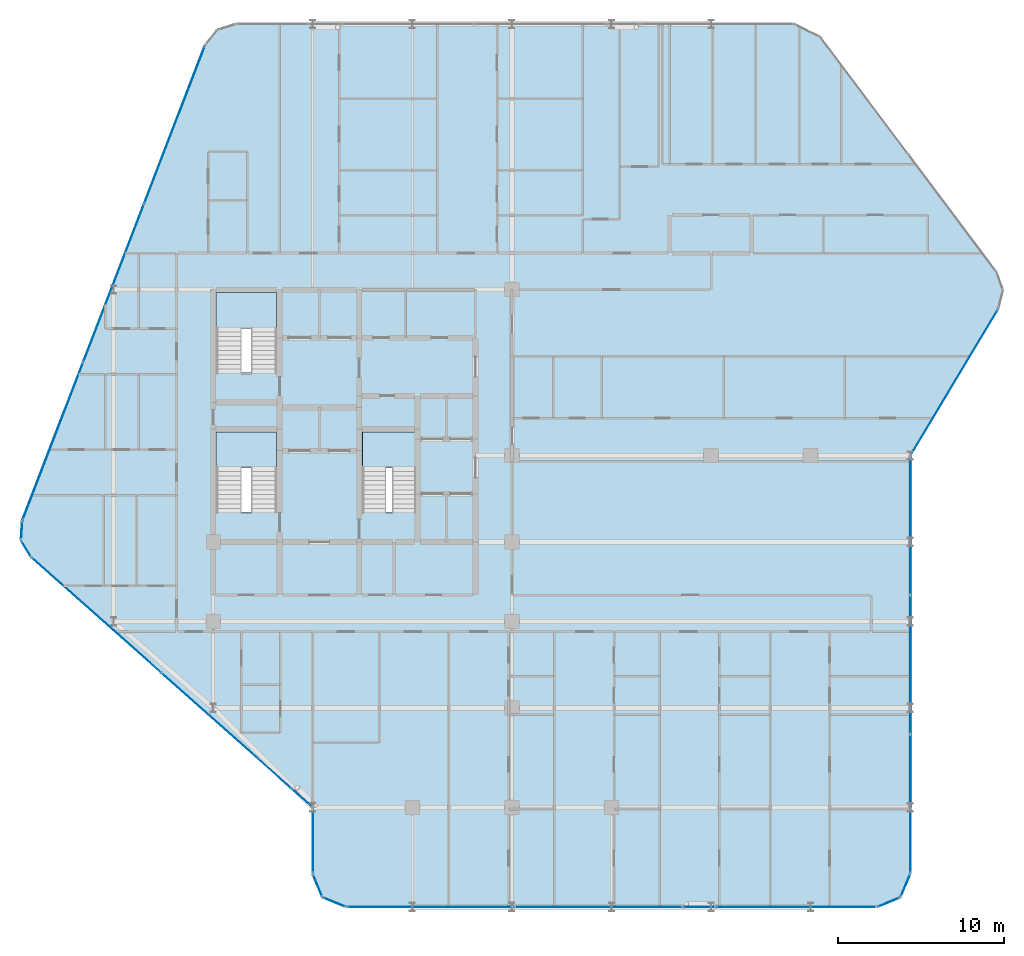
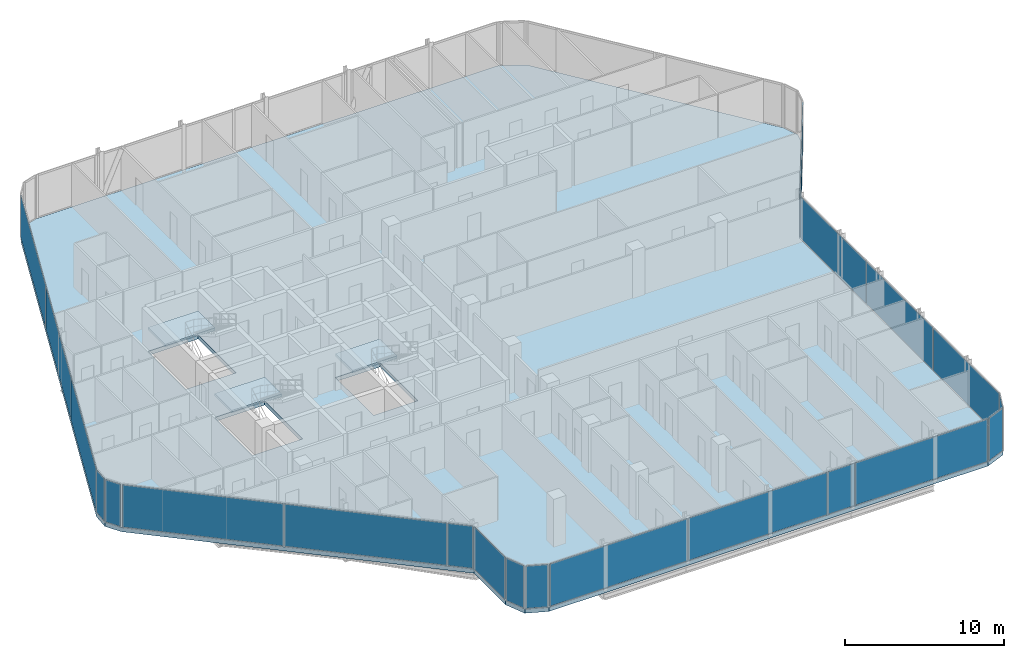
# One storey, part 23 of 32: 21 plates, 4 slabs, 18 elements without a shape of their own.
"""IFC4 building model written with IfcOpenShell, lengths in metres."""

import ifcopenshell
import ifcopenshell.guid

model = None  # the IFC model being written
_history = None  # IfcOwnerHistory: only IFC2X3 demands one
_inside = {}  # id of a spatial element -> (the spatial element, [elements in it])
_under = {}  # id of a project, library or spatial element -> (it, [spatial elements below it])
_declared = {}  # id of a project -> (the project, [libraries it declares])
_typed = {}  # id of a type object -> (the type object, [elements of that type])
_made_of = {}  # id of a material, layer set ... -> (it, [elements and type objects made of it])


def new_model(schema):
    """Start an empty IFC model of exactly this schema.

    Asked for "IFC4X3", IfcOpenShell would pick the latest addendum, in which some entities
    have other attributes; the version numbers below select the first issue.
    IFC2X3 requires an IfcOwnerHistory on every rooted entity: one is made here for all.
    """
    global model, _history
    if schema == "IFC4X3":
        model = ifcopenshell.file(schema_version=(4, 3, 0, 0))
    else:
        model = ifcopenshell.file(schema=schema)
    _inside.clear()
    _under.clear()
    _declared.clear()
    _typed.clear()
    _made_of.clear()
    _history = None
    if model.schema == "IFC2X3":
        org = make("IfcOrganization", Name="unknown")
        user = make(
            "IfcPersonAndOrganization",
            ThePerson=make("IfcPerson", FamilyName="unknown"),
            TheOrganization=org,
        )
        app = make(
            "IfcApplication",
            ApplicationDeveloper=org,
            Version="unknown",
            ApplicationFullName="unknown",
            ApplicationIdentifier="unknown",
        )
        _history = make(
            "IfcOwnerHistory",
            OwningUser=user,
            OwningApplication=app,
            ChangeAction="ADDED",
            CreationDate=0,
        )
    return model


def make(cls, **values):
    """One entity of the class cls with the attributes given. An attribute that is None is left unset."""
    return model.create_entity(
        cls, **{name: value for name, value in values.items() if value is not None}
    )


def rooted(cls, **values):
    """An entity with a GlobalId (a new one), such as an element, a storey or a relation."""
    return make(cls, GlobalId=ifcopenshell.guid.new(), OwnerHistory=_history, **values)


def si_unit(unit_type, name, prefix=None):
    """IfcSIUnit, for example si_unit("LENGTHUNIT", "METRE", prefix="MILLI")."""
    return make("IfcSIUnit", UnitType=unit_type, Prefix=prefix, Name=name)


def assignment(units):
    """IfcUnitAssignment: the units of a project."""
    return None if units is None else make("IfcUnitAssignment", Units=units)


def point(xyz):
    """IfcCartesianPoint."""
    return None if xyz is None else make("IfcCartesianPoint", Coordinates=xyz)


def direction(xyz):
    """IfcDirection."""
    return None if xyz is None else make("IfcDirection", DirectionRatios=xyz)


def frame(location, z_axis=None, x_axis=None):
    """IfcAxis2Placement3D, a coordinate frame: its origin and axes. An axis left out is left unset."""
    return make(
        "IfcAxis2Placement3D",
        Location=point(location),
        Axis=direction(z_axis),
        RefDirection=direction(x_axis),
    )


def frame_2d(location, x_axis=None):
    """IfcAxis2Placement2D, a coordinate frame in the plane: its origin and x axis."""
    return make(
        "IfcAxis2Placement2D", Location=point(location), RefDirection=direction(x_axis)
    )


def origin():
    """The frame at (0, 0, 0) with its axes left unset."""
    return frame((0.0, 0.0, 0.0))


def origin_2d():
    """The frame at (0, 0) in the plane with its x axis left unset."""
    return frame_2d((0.0, 0.0))


def place(relative_to, where):
    """IfcLocalPlacement: puts the frame where relative to a parent placement (None: the world)."""
    return make(
        "IfcLocalPlacement", PlacementRelTo=relative_to, RelativePlacement=where
    )


def context(
    kind, dimensions, precision=None, world=None, true_north=None, identifier=None
):
    """IfcGeometricRepresentationContext, for example the 3D "Model" context."""
    return make(
        "IfcGeometricRepresentationContext",
        ContextIdentifier=identifier,
        ContextType=kind,
        CoordinateSpaceDimension=dimensions,
        Precision=precision,
        WorldCoordinateSystem=world,
        TrueNorth=true_north,
    )


def subcontext(parent, identifier, kind, view, scale=None):
    """IfcGeometricRepresentationSubContext, for example "Body" below "Model"."""
    return make(
        "IfcGeometricRepresentationSubContext",
        ContextIdentifier=identifier,
        ContextType=kind,
        ParentContext=parent,
        TargetScale=scale,
        TargetView=view,
    )


def project(units=None, contexts=None):
    """IfcProject with its units and contexts."""
    return rooted(
        "IfcProject",
        Name="project",
        RepresentationContexts=contexts,
        UnitsInContext=assignment(units),
    )


def spatial(cls, under=None, at=None, **own):
    """A site, building, storey or space (cls), placed at a placement, below another one or the project."""
    s = rooted(cls, ObjectPlacement=at, **own)
    if under is not None:
        _under.setdefault(under.id(), (under, []))[1].append(s)
    return s


def polyline(points):
    """IfcPolyline through the points."""
    return make("IfcPolyline", Points=[point(p) for p in points])


def profile(cls, at=None, kind="AREA", **sizes):
    """A parametric profile (cls). Its sizes go by their IFC names, for example OverallWidth=200.0."""
    return make(cls, ProfileType=kind, Position=at, **sizes)


def rectangle(**sizes):
    """IfcRectangleProfileDef."""
    return profile("IfcRectangleProfileDef", **sizes)


def outline(outer, holes=None, kind="AREA"):
    """IfcArbitraryClosedProfileDef: a profile drawn as a closed curve; with holes, ...WithVoids."""
    if holes is None:
        return make("IfcArbitraryClosedProfileDef", ProfileType=kind, OuterCurve=outer)
    return make(
        "IfcArbitraryProfileDefWithVoids",
        ProfileType=kind,
        OuterCurve=outer,
        InnerCurves=holes,
    )


def extrude(swept, where, along, depth):
    """IfcExtrudedAreaSolid: the profile swept, set in the frame where, extruded along a direction by depth."""
    return make(
        "IfcExtrudedAreaSolid",
        SweptArea=swept,
        Position=where,
        ExtrudedDirection=direction(along),
        Depth=depth,
    )


def shape(context_of_items, identifier, shape_type, items):
    """IfcShapeRepresentation: the items that make up one representation, for example the "Body"."""
    return make(
        "IfcShapeRepresentation",
        ContextOfItems=context_of_items,
        RepresentationIdentifier=identifier,
        RepresentationType=shape_type,
        Items=items,
    )


def material(Name=None, Category=None):
    """IfcMaterial."""
    return make("IfcMaterial", Name=Name, Category=Category)


def layer(
    of_material, thickness, ventilated=None, Name=None, Category=None, Priority=None
):
    """IfcMaterialLayer: one layer of a wall or slab, of a material (None: an air gap)."""
    return make(
        "IfcMaterialLayer",
        Material=of_material,
        LayerThickness=thickness,
        IsVentilated=ventilated,
        Name=Name,
        Category=Category,
        Priority=Priority,
    )


def layer_set(layers, Name=None):
    """IfcMaterialLayerSet."""
    return make("IfcMaterialLayerSet", MaterialLayers=layers, LayerSetName=Name)


def made_of(thing, what):
    """Note that an element or type object is made of a material, layer set ...; save() writes the relation."""
    if what is not None:
        _made_of.setdefault(what.id(), (what, []))[1].append(thing)
    return thing


def type_object(cls, material=None, **own):
    """A type object (cls), such as IfcWallType, which elements share."""
    return made_of(rooted(cls, **own), material)


def element(
    cls,
    number,
    at=None,
    inside=None,
    cuts=None,
    type_object=None,
    material=None,
    context=None,
    identifier="Body",
    shape_type=None,
    held_by="IfcProductDefinitionShape",
    body=None,
    shapes=None,
    **own,
):
    """One element of the class cls, such as IfcWall. Its Tag is "e" and its number.

    at: its placement. inside: the storey or other place that contains it. cuts: it is an
    opening in that element (IfcRelVoidsElement). A single representation is given by context,
    identifier, shape_type and body (its items); several are given by shapes. held_by: the class
    of the entity that holds the representations. save() writes the other relations.
    """
    e = rooted(cls, Tag="e%d" % number, ObjectPlacement=at, **own)
    if body is not None:
        shapes = [shape(context, identifier, shape_type, body)]
    if shapes is not None:
        e.Representation = make(held_by, Representations=shapes)
    if inside is not None:
        _inside.setdefault(inside.id(), (inside, []))[1].append(e)
    if cuts is not None:
        rooted(
            "IfcRelVoidsElement", RelatingBuildingElement=cuts, RelatedOpeningElement=e
        )
    if type_object is not None:
        _typed.setdefault(type_object.id(), (type_object, []))[1].append(e)
    return made_of(e, material)


def aggregate(whole, parts):
    """IfcRelAggregates: a whole, such as a stair, and the parts it consists of."""
    return rooted("IfcRelAggregates", RelatingObject=whole, RelatedObjects=parts)


def save(model, path):
    """Write the relations noted so far, then the file.

    IfcRelAggregates (storeys below a building ...), IfcRelContainedInSpatialStructure (elements
    in a storey), IfcRelDefinesByType, IfcRelAssociatesMaterial and IfcRelDeclares: one each for
    every whole, place, type object, material and project.
    """
    for whole, parts in _under.values():
        aggregate(whole, parts)
    for where, things in _inside.values():
        rooted(
            "IfcRelContainedInSpatialStructure",
            RelatedElements=things,
            RelatingStructure=where,
        )
    for kind, things in _typed.values():
        rooted("IfcRelDefinesByType", RelatedObjects=things, RelatingType=kind)
    for what, things in _made_of.values():
        rooted("IfcRelAssociatesMaterial", RelatedObjects=things, RelatingMaterial=what)
    for by, libraries in _declared.values():
        rooted("IfcRelDeclares", RelatingContext=by, RelatedDefinitions=libraries)
    model.write(path)


model = new_model("IFC4")

# Units and contexts
model_context = context("Model", 3, precision=1e-05, world=origin(), true_north=direction((0.0, 1.0)))
body_context = subcontext(model_context, "Body", "Model", "MODEL_VIEW")
ifc_project = project(units=[si_unit("LENGTHUNIT", "METRE"), si_unit("AREAUNIT", "SQUARE_METRE"), si_unit("VOLUMEUNIT", "CUBIC_METRE"), si_unit("PLANEANGLEUNIT", "RADIAN"), si_unit("MASSUNIT", "GRAM", prefix="KILO")], contexts=[model_context])

# Site, building, storey
site_placement = place(None, origin())
site = spatial("IfcSite", under=ifc_project, at=site_placement, CompositionType="ELEMENT")
building_placement = place(site_placement, origin())
building = spatial("IfcBuilding", under=site, at=building_placement, Name="Keshet Zoharim Tower", CompositionType="ELEMENT")
storey_placement = place(building_placement, frame((0.0, 0.0, 152.0)))
storey = spatial("IfcBuildingStorey", under=building, at=storey_placement, Name="L37", CompositionType="ELEMENT", Elevation=152.0)

# Curtain wall, plate
ifc_material_1 = material(Name="Aluminium 6063-T6", Category="aluminium")
ifc_layer_1 = layer(ifc_material_1, 0.159912109375)
ifc_layer_set_1 = layer_set([ifc_layer_1], Name="Aluminium 6063-T6")
curtain_wall_type = type_object("IfcCurtainWallType", Name="CW-SYS-03", PredefinedType="NOTDEFINED", material=ifc_layer_set_1)
curtain_wall_1_placement = place(storey_placement, origin())
curtain_wall_1 = element("IfcCurtainWall", 1, at=curtain_wall_1_placement, inside=storey, type_object=curtain_wall_type, Name="L37 Unitised Curtain Wall 01", PredefinedType="NOTDEFINED")
ifc_material_2 = material(Name="Insulated Low-E Clear Glass", Category="glass")
ifc_layer_2 = layer(ifc_material_2, 0.035888671875)
ifc_layer_set_2 = layer_set([ifc_layer_2], Name="Insulated Low-E Clear Glass")
plate_type_1 = type_object("IfcPlateType", Name="CWP-01", PredefinedType="CURTAIN_PANEL", material=ifc_layer_set_2)
plate_1_placement = place(storey_placement, frame((56.70703125, 1.992919921875, 0.06982421875), z_axis=(0.0, 0.0, 1.0), x_axis=(-0.382851849847, -0.92380975372, 0.0)))
plate_1 = element("IfcPlate", 2, at=plate_1_placement, type_object=plate_type_1, Name="CW-03 panel 1.1", PredefinedType="CURTAIN_PANEL", context=body_context, shape_type="SweptSolid", body=[
    extrude(rectangle(XDim=1.390625, YDim=0.035888671875, at=origin_2d()), origin(), (0.0, 0.0, 1.0), 3.2451171875),
])
aggregate(curtain_wall_1, [plate_1])

curtain_wall_2_placement = place(storey_placement, origin())
curtain_wall_2 = element("IfcCurtainWall", 3, at=curtain_wall_2_placement, inside=storey, type_object=curtain_wall_type, Name="L37 Unitised Curtain Wall 02", PredefinedType="NOTDEFINED")
plate_2_placement = place(storey_placement, frame((55.70703125, 0.992919921875, 0.06982421875), z_axis=(0.0, 0.0, 1.0), x_axis=(-0.92380975372, -0.382851849847, 0.0)))
plate_2 = element("IfcPlate", 4, at=plate_2_placement, type_object=plate_type_1, Name="CW-03 panel 1.1", PredefinedType="CURTAIN_PANEL", context=body_context, shape_type="SweptSolid", body=[
    extrude(rectangle(XDim=1.390625, YDim=0.035888671875, at=origin_2d()), origin(), (0.0, 0.0, 1.0), 3.2451171875),
])
aggregate(curtain_wall_2, [plate_2])

curtain_wall_3_placement = place(storey_placement, origin())
curtain_wall_3 = element("IfcCurtainWall", 5, at=curtain_wall_3_placement, inside=storey, type_object=curtain_wall_type, Name="L37 Unitised Curtain Wall 03", PredefinedType="NOTDEFINED")
plate_3_placement = place(storey_placement, frame((50.1240234375, 0.699951171875, 0.06982421875), z_axis=(0.0, 0.0, 1.0), x_axis=(-1.0, 0.0, 0.0)))
plate_3 = element("IfcPlate", 6, at=plate_3_placement, type_object=plate_type_1, Name="CW-03 panel 1.1", PredefinedType="CURTAIN_PANEL", context=body_context, shape_type="SweptSolid", body=[
    extrude(rectangle(XDim=9.61181640625, YDim=0.035888671875, at=origin_2d()), origin(), (0.0, 0.0, 1.0), 3.2451171875),
])
aggregate(curtain_wall_3, [plate_3])

# Curtain wall, plates
curtain_wall_4_placement = place(storey_placement, origin())
curtain_wall_4 = element("IfcCurtainWall", 7, at=curtain_wall_4_placement, inside=storey, type_object=curtain_wall_type, Name="L37 Unitised Curtain Wall 03 Part 3", PredefinedType="NOTDEFINED")
plate_4_placement = place(storey_placement, frame((38.20654296875, 0.699951171875, 0.06982421875), z_axis=(0.0, 0.0, 1.0), x_axis=(-1.0, 0.0, 0.0)))
plate_4 = element("IfcPlate", 8, at=plate_4_placement, type_object=plate_type_1, Name="CW-03 panel 1.1", PredefinedType="CURTAIN_PANEL", context=body_context, shape_type="SweptSolid", body=[
    extrude(rectangle(XDim=10.091064453125, YDim=0.035888671875, at=origin_2d()), origin(), (0.0, 0.0, 1.0), 3.2451171875),
])
plate_5_placement = place(storey_placement, frame((28.08056640625, 0.699951171875, 0.06982421875), z_axis=(0.0, 0.0, 1.0), x_axis=(-1.0, 0.0, 0.0)))
plate_5 = element("IfcPlate", 9, at=plate_5_placement, type_object=plate_type_1, Name="CW-03 panel 2.1", PredefinedType="CURTAIN_PANEL", context=body_context, shape_type="SweptSolid", body=[
    extrude(rectangle(XDim=10.02099609375, YDim=0.035888671875, at=origin_2d()), origin(), (0.0, 0.0, 1.0), 3.2451171875),
])
aggregate(curtain_wall_4, [plate_4, plate_5])

# Curtain wall, plate
curtain_wall_5_placement = place(storey_placement, origin())
curtain_wall_5 = element("IfcCurtainWall", 10, at=curtain_wall_5_placement, inside=storey, type_object=curtain_wall_type, Name="L37 Unitised Curtain Wall 04", PredefinedType="NOTDEFINED")
plate_6_placement = place(storey_placement, frame((22.29296875, 0.992919921875, 0.06982421875), z_axis=(0.0, 0.0, 1.0), x_axis=(-0.92380975372, 0.382851849847, 0.0)))
plate_6 = element("IfcPlate", 11, at=plate_6_placement, type_object=plate_type_1, Name="CW-03 panel 1.1", PredefinedType="CURTAIN_PANEL", context=body_context, shape_type="SweptSolid", body=[
    extrude(rectangle(XDim=1.390625, YDim=0.035888671875, at=origin_2d()), origin(), (0.0, 0.0, 1.0), 3.2451171875),
])
aggregate(curtain_wall_5, [plate_6])

curtain_wall_6_placement = place(storey_placement, origin())
curtain_wall_6 = element("IfcCurtainWall", 12, at=curtain_wall_6_placement, inside=storey, type_object=curtain_wall_type, Name="L37 Unitised Curtain Wall 05", PredefinedType="NOTDEFINED")
plate_7_placement = place(storey_placement, frame((21.29296875, 1.992919921875, 0.06982421875), z_axis=(0.0, 0.0, 1.0), x_axis=(-0.382851849847, 0.92380975372, 0.0)))
plate_7 = element("IfcPlate", 13, at=plate_7_placement, type_object=plate_type_1, Name="CW-03 panel 1.1", PredefinedType="CURTAIN_PANEL", context=body_context, shape_type="SweptSolid", body=[
    extrude(rectangle(XDim=1.390625, YDim=0.035888671875, at=origin_2d()), origin(), (0.0, 0.0, 1.0), 3.2451171875),
])
aggregate(curtain_wall_6, [plate_7])

curtain_wall_7_placement = place(storey_placement, origin())
curtain_wall_7 = element("IfcCurtainWall", 14, at=curtain_wall_7_placement, inside=storey, type_object=curtain_wall_type, Name="L37 Unitised Curtain Wall 06", PredefinedType="NOTDEFINED")
plate_8_placement = place(storey_placement, frame((21.0, 4.699951171875, 0.06982421875), z_axis=(0.0, 0.0, 1.0), x_axis=(0.0, 1.0, 0.0)))
plate_8 = element("IfcPlate", 15, at=plate_8_placement, type_object=plate_type_1, Name="CW-03 panel 1.1", PredefinedType="CURTAIN_PANEL", context=body_context, shape_type="SweptSolid", body=[
    extrude(rectangle(XDim=3.860107421875, YDim=0.035888671875, at=origin_2d()), origin(), (0.0, 0.0, 1.0), 3.2451171875),
])
aggregate(curtain_wall_7, [plate_8])

# Curtain wall, plates
curtain_wall_8_placement = place(storey_placement, origin())
curtain_wall_8 = element("IfcCurtainWall", 16, at=curtain_wall_8_placement, inside=storey, type_object=curtain_wall_type, Name="L37 Unitised Curtain Wall 07 Part 2", PredefinedType="NOTDEFINED")
plate_9_placement = place(storey_placement, frame((15.79296875, 11.328369140625, 0.06982421875), z_axis=(0.0, 0.0, 1.0), x_axis=(-0.747409582009, 0.664363542589, 0.0)))
plate_9 = element("IfcPlate", 17, at=plate_9_placement, type_object=plate_type_1, Name="CW-03 panel 1.1", PredefinedType="CURTAIN_PANEL", context=body_context, shape_type="SweptSolid", body=[
    extrude(rectangle(XDim=10.441162109375, YDim=0.035888671875, at=origin_2d()), origin(), (0.0, 0.0, 1.0), 3.2451171875),
])
plate_10_placement = place(storey_placement, frame((7.963134765625, 18.288330078125, 0.06982421875), z_axis=(0.0, 0.0, 1.0), x_axis=(-0.747409582009, 0.664363542589, 0.0)))
plate_10 = element("IfcPlate", 18, at=plate_10_placement, type_object=plate_type_1, Name="CW-03 panel 2.1", PredefinedType="CURTAIN_PANEL", context=body_context, shape_type="SweptSolid", body=[
    extrude(rectangle(XDim=10.37109375, YDim=0.035888671875, at=origin_2d()), origin(), (0.0, 0.0, 1.0), 3.2451171875),
])
aggregate(curtain_wall_8, [plate_9, plate_10])

# Curtain wall, plate
curtain_wall_9_placement = place(storey_placement, origin())
curtain_wall_9 = element("IfcCurtainWall", 19, at=curtain_wall_9_placement, inside=storey, type_object=curtain_wall_type, Name="L37 Unitised Curtain Wall 08", PredefinedType="NOTDEFINED")
plate_11_placement = place(storey_placement, frame((3.7275390625, 22.291015625, 0.06982421875), z_axis=(0.0, 0.0, 1.0), x_axis=(-0.515604947933, 0.856826433805, 0.0)))
plate_11 = element("IfcPlate", 20, at=plate_11_placement, type_object=plate_type_1, Name="CW-03 panel 1.1", PredefinedType="CURTAIN_PANEL", context=body_context, shape_type="SweptSolid", body=[
    extrude(rectangle(XDim=1.052734375, YDim=0.035888671875, at=origin_2d()), origin(), (0.0, 0.0, 1.0), 3.2451171875),
])
aggregate(curtain_wall_9, [plate_11])

curtain_wall_10_placement = place(storey_placement, origin())
curtain_wall_10 = element("IfcCurtainWall", 21, at=curtain_wall_10_placement, inside=storey, type_object=curtain_wall_type, Name="L37 Unitised Curtain Wall 09", PredefinedType="NOTDEFINED")
plate_12_placement = place(storey_placement, frame((3.45849609375, 23.3974609375, 0.06982421875), z_axis=(0.0, 0.0, 1.0), x_axis=(0.064516859374, 0.997916617186, 0.0)))
plate_12 = element("IfcPlate", 22, at=plate_12_placement, type_object=plate_type_1, Name="CW-03 panel 1.1", PredefinedType="CURTAIN_PANEL", context=body_context, shape_type="SweptSolid", body=[
    extrude(rectangle(XDim=1.053466796875, YDim=0.035888671875, at=origin_2d()), origin(), (0.0, 0.0, 1.0), 3.2451171875),
])
aggregate(curtain_wall_10, [plate_12])

# Curtain wall, plates
curtain_wall_11_placement = place(storey_placement, origin())
curtain_wall_11 = element("IfcCurtainWall", 23, at=curtain_wall_11_placement, inside=storey, type_object=curtain_wall_type, Name="L37 Unitised Curtain Wall 10", PredefinedType="NOTDEFINED")
plate_13_placement = place(storey_placement, frame((5.33837890625, 28.7802734375, 0.06982421875), z_axis=(0.0, 0.0, 1.0), x_axis=(0.358990003907, 0.933341404361, 0.0)))
plate_13 = element("IfcPlate", 24, at=plate_13_placement, type_object=plate_type_1, Name="CW-03 panel 1.1", PredefinedType="CURTAIN_PANEL", context=body_context, shape_type="SweptSolid", body=[
    extrude(rectangle(XDim=10.1181640625, YDim=0.035888671875, at=origin_2d()), origin(), (0.0, 0.0, 1.0), 3.2451171875),
])
plate_14_placement = place(storey_placement, frame((9.001953125, 38.305419921875, 0.06982421875), z_axis=(0.0, 0.0, 1.0), x_axis=(0.358990003907, 0.933341404361, 0.0)))
plate_14 = element("IfcPlate", 25, at=plate_14_placement, type_object=plate_type_1, Name="CW-03 panel 2.1", PredefinedType="CURTAIN_PANEL", context=body_context, shape_type="SweptSolid", body=[
    extrude(rectangle(XDim=10.153076171875, YDim=0.035888671875, at=origin_2d()), origin(), (0.0, 0.0, 1.0), 3.2451171875),
])
plate_15_placement = place(storey_placement, frame((12.665771484375, 47.830810546875, 0.06982421875), z_axis=(0.0, 0.0, 1.0), x_axis=(0.358990003907, 0.933341404361, 0.0)))
plate_15 = element("IfcPlate", 26, at=plate_15_placement, type_object=plate_type_1, Name="CW-03 panel 3.1", PredefinedType="CURTAIN_PANEL", context=body_context, shape_type="SweptSolid", body=[
    extrude(rectangle(XDim=10.1181640625, YDim=0.035888671875, at=origin_2d()), origin(), (0.0, 0.0, 1.0), 3.2451171875),
])
aggregate(curtain_wall_11, [plate_13, plate_14, plate_15])

# Curtain wall, plate
curtain_wall_12_placement = place(storey_placement, origin())
curtain_wall_12 = element("IfcCurtainWall", 27, at=curtain_wall_12_placement, inside=storey, type_object=curtain_wall_type, Name="L37 Unitised Curtain Wall 18", PredefinedType="NOTDEFINED")
plate_16_placement = place(storey_placement, frame((59.654052734375, 32.323486328125, 0.06982421875), z_axis=(0.0, 0.0, 1.0), x_axis=(-0.514481501576, -0.857501477862, 0.0)))
plate_16 = element("IfcPlate", 28, at=plate_16_placement, type_object=plate_type_1, Name="CW-03 panel 1.1", PredefinedType="CURTAIN_PANEL", context=body_context, shape_type="SweptSolid", body=[
    extrude(rectangle(XDim=10.17724609375, YDim=0.035888671875, at=origin_2d()), origin(), (0.0, 0.0, 1.0), 3.2451171875),
])
aggregate(curtain_wall_12, [plate_16])

# Curtain wall, plates
curtain_wall_13_placement = place(storey_placement, origin())
curtain_wall_13 = element("IfcCurtainWall", 29, at=curtain_wall_13_placement, inside=storey, type_object=curtain_wall_type, Name="L37 Unitised Curtain Wall 19", PredefinedType="NOTDEFINED")
ifc_layer_3 = layer(ifc_material_2, 0.031982421875)
ifc_layer_set_3 = layer_set([ifc_layer_3], Name="Insulated Low-E Clear Glass")
plate_type_2 = type_object("IfcPlateType", Name="CWP-02", PredefinedType="CURTAIN_PANEL", material=ifc_layer_set_3)
plate_17_placement = place(storey_placement, frame((57.0, 23.6826171875, 0.06982421875), z_axis=(0.0, 0.0, 1.0), x_axis=(0.0, -1.0, 0.0)))
plate_17 = element("IfcPlate", 30, at=plate_17_placement, type_object=plate_type_2, Name="CW-03 panel 1.1", PredefinedType="CURTAIN_PANEL", context=body_context, shape_type="SweptSolid", body=[
    extrude(rectangle(XDim=8.294921875, YDim=0.031982421875, at=origin_2d()), origin(), (0.0, 0.0, 1.0), 3.2451171875),
])
plate_18_placement = place(storey_placement, frame((57.0, 15.300048828125, 0.06982421875), z_axis=(0.0, 0.0, 1.0), x_axis=(0.0, -1.0, 0.0)))
plate_18 = element("IfcPlate", 31, at=plate_18_placement, type_object=plate_type_2, Name="CW-03 panel 2.1", PredefinedType="CURTAIN_PANEL", context=body_context, shape_type="SweptSolid", body=[
    extrude(rectangle(XDim=8.330078125, YDim=0.031982421875, at=origin_2d()), origin(), (0.0, 0.0, 1.0), 3.2451171875),
])
plate_19_placement = place(storey_placement, frame((57.0, 6.91748046875, 0.06982421875), z_axis=(0.0, 0.0, 1.0), x_axis=(0.0, -1.0, 0.0)))
plate_19 = element("IfcPlate", 32, at=plate_19_placement, type_object=plate_type_2, Name="CW-03 panel 3.1", PredefinedType="CURTAIN_PANEL", context=body_context, shape_type="SweptSolid", body=[
    extrude(rectangle(XDim=8.294921875, YDim=0.031982421875, at=origin_2d()), origin(), (0.0, 0.0, 1.0), 3.2451171875),
])
aggregate(curtain_wall_13, [plate_17, plate_18, plate_19])

# Curtain wall, plate
curtain_wall_14_placement = place(storey_placement, origin())
curtain_wall_14 = element("IfcCurtainWall", 33, at=curtain_wall_14_placement, inside=storey, type_object=curtain_wall_type, Name="L37 Unitised Curtain Wall 03 Part 2", PredefinedType="NOTDEFINED")
ifc_material_3 = material(Name="Insulated Aluminium Spandrel Panel", Category="aluminium")
ifc_layer_4 = layer(ifc_material_3, 0.035888671875)
ifc_layer_set_4 = layer_set([ifc_layer_4], Name="Insulated Aluminium Spandrel Panel")
plate_type_3 = type_object("IfcPlateType", Name="CWP-04", PredefinedType="CURTAIN_PANEL", material=ifc_layer_set_4)
plate_20_placement = place(storey_placement, frame((44.284912109375, 0.699951171875, 0.06982421875), z_axis=(0.0, 0.0, 1.0), x_axis=(-1.0, 0.0, 0.0)))
plate_20 = element("IfcPlate", 34, at=plate_20_placement, type_object=plate_type_3, Name="CW-03 spandrel panel 1.1", PredefinedType="CURTAIN_PANEL", context=body_context, shape_type="SweptSolid", body=[
    extrude(rectangle(XDim=1.92626953125, YDim=0.035888671875, at=origin_2d()), origin(), (0.0, 0.0, 1.0), 3.2451171875),
])
aggregate(curtain_wall_14, [plate_20])

curtain_wall_15_placement = place(storey_placement, origin())
curtain_wall_15 = element("IfcCurtainWall", 35, at=curtain_wall_15_placement, inside=storey, type_object=curtain_wall_type, Name="L37 Unitised Curtain Wall 07", PredefinedType="NOTDEFINED")
plate_21_placement = place(storey_placement, frame((20.347412109375, 7.280029296875, 0.06982421875), z_axis=(0.0, 0.0, 1.0), x_axis=(-0.747406159057, 0.664367393393, 0.0)))
plate_21 = element("IfcPlate", 36, at=plate_21_placement, type_object=plate_type_3, Name="CW-03 spandrel panel 1.1", PredefinedType="CURTAIN_PANEL", context=body_context, shape_type="SweptSolid", body=[
    extrude(rectangle(XDim=1.606201171875, YDim=0.035888671875, at=origin_2d()), origin(), (0.0, 0.0, 1.0), 3.2451171875),
])
aggregate(curtain_wall_15, [plate_21])

# Stair, slab
ifc_material_4 = material(Name="Concrete C50/60", Category="concrete")
stair_type = type_object("IfcStairType", Name="STR-EXIT-135", PredefinedType="HALF_TURN_STAIR", material=ifc_material_4)
stair_1_placement = place(storey_placement, origin())
stair_1 = element("IfcStair", 37, at=stair_1_placement, inside=storey, type_object=stair_type, Name="L37 Enclosed Exit Stair ST-01", PredefinedType="HALF_TURN_STAIR")
ifc_layer_5 = layer(ifc_material_4, 0.199951171875)
ifc_layer_set_5 = layer_set([ifc_layer_5], Name="Concrete C50/60")
slab_type_1 = type_object("IfcSlabType", Name="SLB-LND-200", PredefinedType="LANDING", material=ifc_layer_set_5)
slab_1_placement = place(storey_placement, frame((0.0, 0.0, 1.64990234375)))
slab_1 = element("IfcSlab", 38, at=slab_1_placement, type_object=slab_type_1, Name="ST-01 landing 1", PredefinedType="LANDING", context=body_context, shape_type="SweptSolid", body=[
    extrude(outline(polyline([(15.179931640625, 27.159912109375), (18.820068359375, 27.159912109375), (18.820068359375, 29.320068359375), (15.179931640625, 29.320068359375), (15.179931640625, 27.159912109375)])), origin(), (0.0, 0.0, 1.0), 0.2001953125),
])
aggregate(stair_1, [slab_1])

stair_2_placement = place(storey_placement, origin())
stair_2 = element("IfcStair", 39, at=stair_2_placement, inside=storey, type_object=stair_type, Name="L37 Enclosed Exit Stair ST-02", PredefinedType="HALF_TURN_STAIR")
slab_2_placement = place(storey_placement, frame((0.0, 0.0, 1.64990234375)))
slab_2 = element("IfcSlab", 40, at=slab_2_placement, type_object=slab_type_1, Name="ST-02 landing 1", PredefinedType="LANDING", context=body_context, shape_type="SweptSolid", body=[
    extrude(outline(polyline([(15.179931640625, 35.56005859375), (18.820068359375, 35.56005859375), (18.820068359375, 37.719970703125), (15.179931640625, 37.719970703125), (15.179931640625, 35.56005859375)])), origin(), (0.0, 0.0, 1.0), 0.2001953125),
])
aggregate(stair_2, [slab_2])

stair_3_placement = place(storey_placement, origin())
stair_3 = element("IfcStair", 41, at=stair_3_placement, inside=storey, type_object=stair_type, Name="L37 Enclosed Exit Stair ST-03", PredefinedType="HALF_TURN_STAIR")
slab_3_placement = place(storey_placement, frame((0.0, 0.0, 1.64990234375)))
slab_3 = element("IfcSlab", 42, at=slab_3_placement, type_object=slab_type_1, Name="ST-03 landing 1", PredefinedType="LANDING", context=body_context, shape_type="SweptSolid", body=[
    extrude(outline(polyline([(23.97998046875, 27.159912109375), (27.219970703125, 27.159912109375), (27.219970703125, 29.320068359375), (23.97998046875, 29.320068359375), (23.97998046875, 27.159912109375)])), origin(), (0.0, 0.0, 1.0), 0.2001953125),
])
aggregate(stair_3, [slab_3])

# Slab
ifc_layer_6 = layer(ifc_material_4, 0.31494140625)
ifc_layer_set_6 = layer_set([ifc_layer_6], Name="Concrete C50/60")
slab_type_2 = type_object("IfcSlabType", Name="SLB-LOW-260", PredefinedType="FLOOR", material=ifc_layer_set_6)
slab_4_placement = place(storey_placement, frame((0.0, 0.0, -0.31494140625)))
element("IfcSlab", 43, at=slab_4_placement, inside=storey, type_object=slab_type_2, Name="L37 Structural Floor Slab 1", PredefinedType="FLOOR", context=body_context, shape_type="SweptSolid", body=[
    extrude(outline(polyline([(57.0, 2.699951171875), (56.4140625, 1.285888671875), (55.0, 0.699951171875), (23.0, 0.699951171875), (21.5859375, 1.285888671875), (21.0, 2.699951171875), (21.0, 6.699951171875), (4.034912109375, 21.780029296875), (3.419921875, 22.802001953125), (3.4970703125, 23.992919921875), (14.507080078125, 52.617919921875), (15.240966796875, 53.549072265625), (16.3740234375, 53.89990234375), (50.0, 53.89990234375), (51.60009765625, 53.10009765625), (62.193115234375, 38.97607421875), (62.590087890625, 37.87890625), (62.30810546875, 36.7470703125), (57.0, 27.89990234375), (57.0, 2.699951171875)]), holes=[polyline([(15.179931640625, 24.52001953125), (18.820068359375, 24.52001953125), (18.820068359375, 29.320068359375), (15.179931640625, 29.320068359375), (15.179931640625, 24.52001953125)]), polyline([(15.179931640625, 32.919921875), (18.820068359375, 32.919921875), (18.820068359375, 37.719970703125), (15.179931640625, 37.719970703125), (15.179931640625, 32.919921875)]), polyline([(23.97998046875, 24.52001953125), (27.219970703125, 24.52001953125), (27.219970703125, 29.320068359375), (23.97998046875, 29.320068359375), (23.97998046875, 24.52001953125)])]), origin(), (0.0, 0.0, 1.0), 0.31494140625),
])

save(model, "model.ifc")
